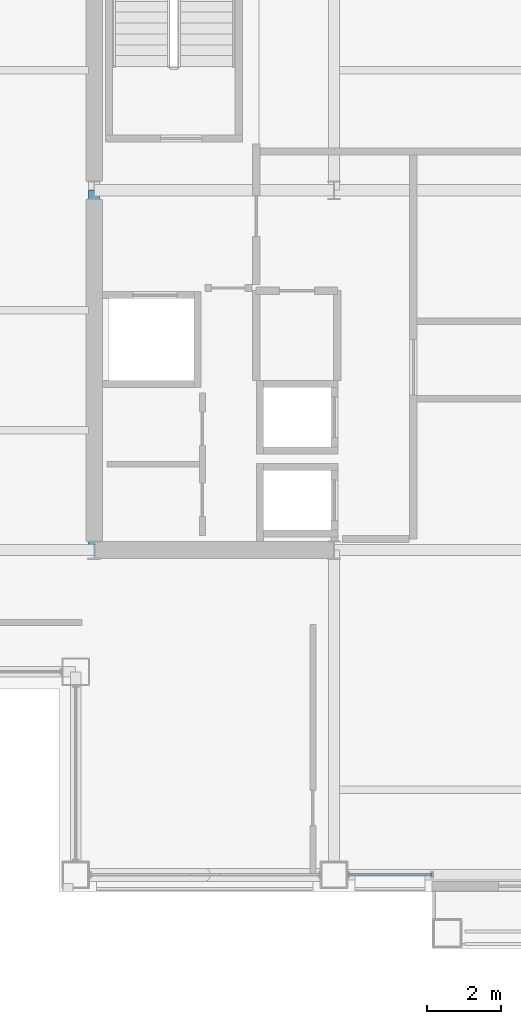
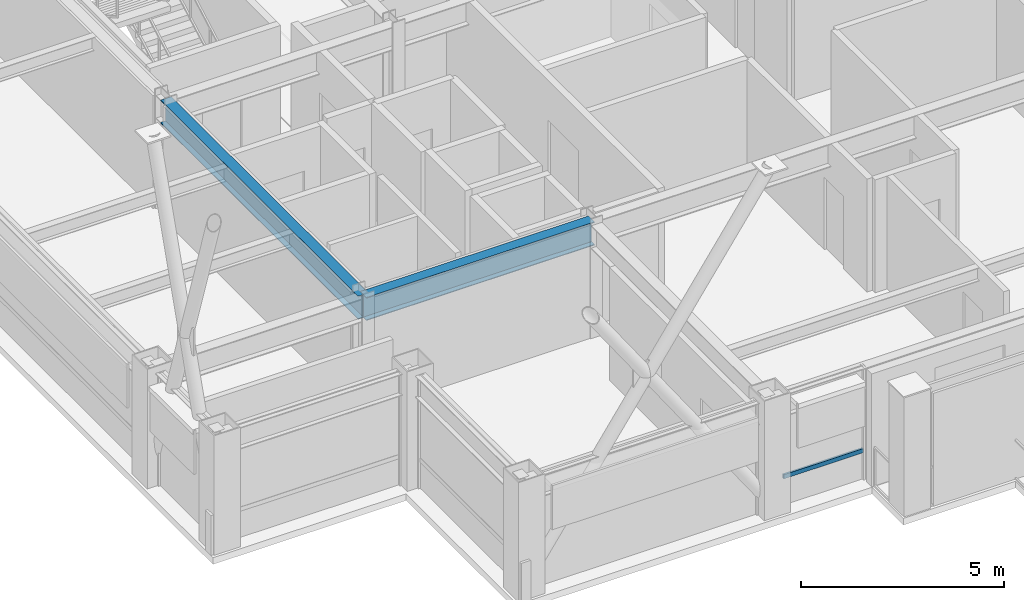
# One storey, part 6 of 32: 2 beams, 1 member, 1 element without a shape of its own.
"""IFC4 building model written with IfcOpenShell, lengths in metres."""

from ifc_helpers import new_model, si_unit, direction, frame, origin, origin_2d, place, context, subcontext, project, spatial, hollow_rectangle, i_section, extrude, material, layer, layer_set, material_profile, profile_set, type_object, element, aggregate, save


model = new_model("IFC4")

# Units and contexts
model_context = context("Model", 3, precision=1e-05, world=origin(), true_north=direction((0.0, 1.0)))
body_context = subcontext(model_context, "Body", "Model", "MODEL_VIEW")
ifc_project = project(units=[si_unit("LENGTHUNIT", "METRE"), si_unit("AREAUNIT", "SQUARE_METRE"), si_unit("VOLUMEUNIT", "CUBIC_METRE"), si_unit("PLANEANGLEUNIT", "RADIAN"), si_unit("MASSUNIT", "GRAM", prefix="KILO")], contexts=[model_context])

# Site, building, storey
site_placement = place(None, origin())
site = spatial("IfcSite", under=ifc_project, at=site_placement, CompositionType="ELEMENT")
building_placement = place(site_placement, origin())
building = spatial("IfcBuilding", under=site, at=building_placement, Name="Brelmoor Portico Tower", CompositionType="ELEMENT")
storey_placement = place(building_placement, frame((0.0, 0.0, 162.300048828125)))
storey = spatial("IfcBuildingStorey", under=building, at=storey_placement, Name="L42", CompositionType="ELEMENT", Elevation=162.300048828125)

# Beams
ifc_material_1 = material(Name="Steel Q355B", Category="steel")
ifc_material_profile_1 = material_profile(ifc_material_1, i_section(OverallWidth=0.300048828125, OverallDepth=0.699951171875, WebThickness=0.012939453125, FlangeThickness=0.02392578125, at=origin_2d()), Name="HN 700x300x13x24")
ifc_profile_set_1 = profile_set([ifc_material_profile_1], Name="Steel Q355B")
beam_type = type_object("IfcBeamType", Name="BM-PG-700", PredefinedType="BEAM", material=ifc_profile_set_1)
beam_1_placement = place(storey_placement, frame((-14.550048828125, -9.75, 3.050048828125), z_axis=(0.0, 1.0, 0.0), x_axis=(-1.0, 0.0, 0.0)))
element("IfcBeam", 1, at=beam_1_placement, inside=storey, type_object=beam_type, Name="L42 Primary Floor Girder PG-01", PredefinedType="BEAM", context=body_context, shape_type="SweptSolid", body=[
    extrude(i_section(OverallWidth=0.300048828125, OverallDepth=0.699951171875, WebThickness=0.012939453125, FlangeThickness=0.02392578125, at=origin_2d()), origin(), (0.0, 0.0, 1.0), 9.75),
])
beam_2_placement = place(storey_placement, frame((-14.550048828125, -9.75, 3.050048828125), z_axis=(1.0, 0.0, 0.0), x_axis=(0.0, 1.0, 0.0)))
element("IfcBeam", 2, at=beam_2_placement, inside=storey, type_object=beam_type, Name="L42 Primary Floor Girder PG-12", PredefinedType="BEAM", context=body_context, shape_type="SweptSolid", body=[
    extrude(i_section(OverallWidth=0.300048828125, OverallDepth=0.699951171875, WebThickness=0.012939453125, FlangeThickness=0.02392578125, at=origin_2d()), origin(), (0.0, 0.0, 1.0), 6.5),
])

# Curtain wall, member
ifc_material_2 = material(Name="Anodised Aluminium Alloy 6063-T6", Category="aluminium")
ifc_layer = layer(ifc_material_2, 0.179931640625)
ifc_layer_set = layer_set([ifc_layer], Name="Anodised Aluminium Alloy 6063-T6")
curtain_wall_type = type_object("IfcCurtainWallType", Name="CW-TOWER-Z3", PredefinedType="NOTDEFINED", material=ifc_layer_set)
curtain_wall_placement = place(storey_placement, origin())
curtain_wall = element("IfcCurtainWall", 3, at=curtain_wall_placement, inside=storey, type_object=curtain_wall_type, Name="L42 Curtain Wall CW-L42-1L-2", PredefinedType="NOTDEFINED")
ifc_material_profile_2 = material_profile(ifc_material_2, hollow_rectangle(XDim=0.06005859375, YDim=0.125, WallThickness=0.00341796875, at=origin_2d()), Name="ALU TRANSOM 60x125")
ifc_profile_set_2 = profile_set([ifc_material_profile_2], Name="Anodised Aluminium Alloy 6063-T6")
member_type = type_object("IfcMemberType", Name="MB-CW-TRAN-125", PredefinedType="USERDEFINED", material=ifc_profile_set_2)
member_placement = place(storey_placement, frame((-7.6650390625, -18.550048828125, 0.849853515625), z_axis=(1.0, 0.0, 0.0), x_axis=(0.0, 1.0, 0.0)))
member = element("IfcMember", 4, at=member_placement, type_object=member_type, Name="CW-L42-1L-2 Transom 1-00", ObjectType="TRANSOM", PredefinedType="USERDEFINED", context=body_context, shape_type="SweptSolid", body=[
    extrude(hollow_rectangle(XDim=0.06005859375, YDim=0.125, WallThickness=0.00341796875, at=origin_2d()), origin(), (0.0, 0.0, 1.0), 2.26513671875),
])
aggregate(curtain_wall, [member])

save(model, "model.ifc")
